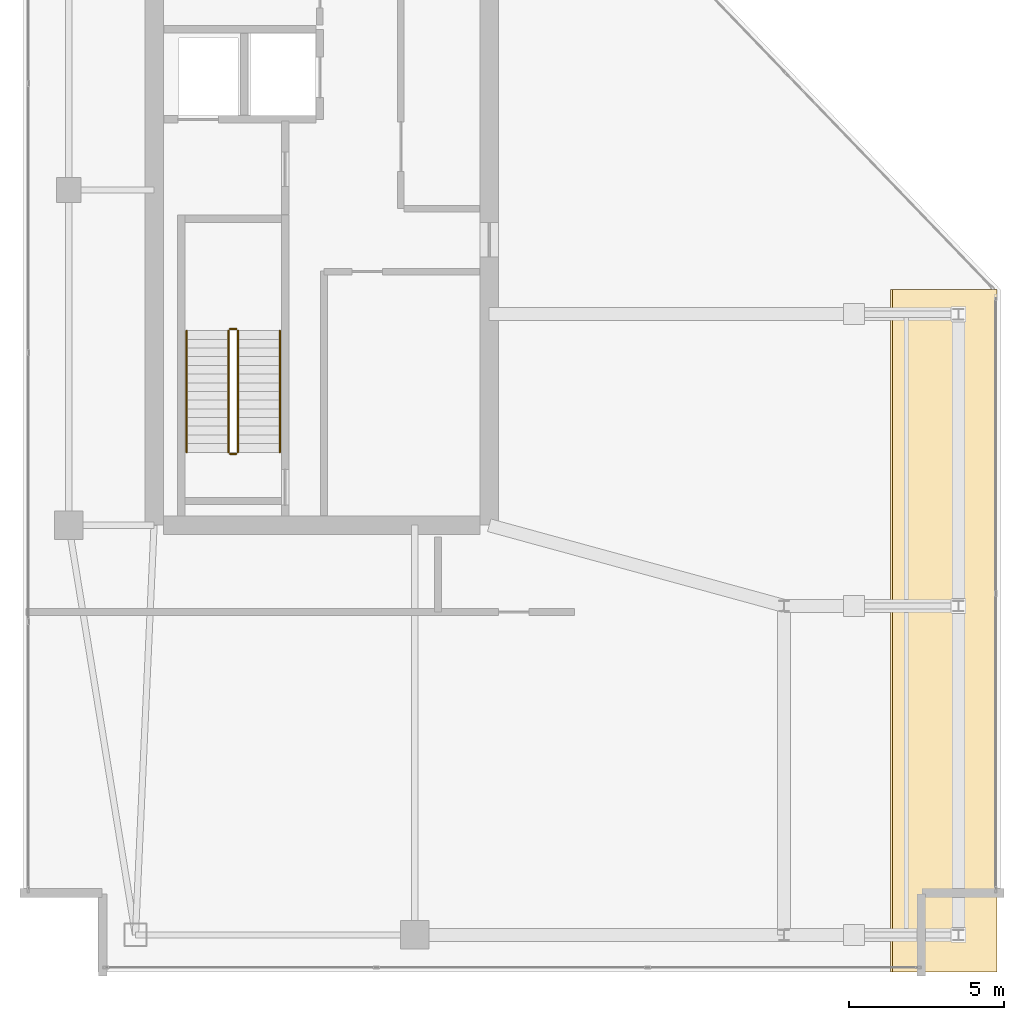
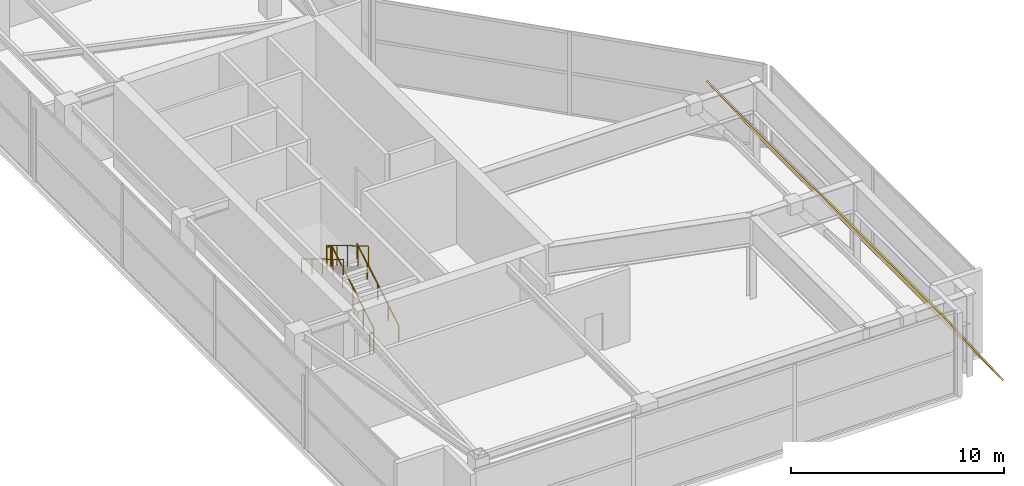
# One storey, part 21 of 22: 6 railings, 1 covering.
"""IFC4 building model written with IfcOpenShell, lengths in metres."""

from ifc_helpers import new_model, si_unit, direction, frame, origin, origin_2d, place, context, subcontext, project, spatial, polyline, circle, outline, extrude, material, layer, layer_set, type_object, element, save


model = new_model("IFC4")

# Units and contexts
model_context = context("Model", 3, precision=1e-05, world=origin(), true_north=direction((0.0, 1.0)))
body_context = subcontext(model_context, "Body", "Model", "MODEL_VIEW")
ifc_project = project(units=[si_unit("LENGTHUNIT", "METRE"), si_unit("AREAUNIT", "SQUARE_METRE"), si_unit("VOLUMEUNIT", "CUBIC_METRE"), si_unit("PLANEANGLEUNIT", "RADIAN"), si_unit("MASSUNIT", "GRAM", prefix="KILO")], contexts=[model_context])

# Site, building, storey
site_placement = place(None, origin())
site = spatial("IfcSite", under=ifc_project, at=site_placement, CompositionType="ELEMENT")
building_placement = place(site_placement, origin())
building = spatial("IfcBuilding", under=site, at=building_placement, Name="Calvorn Quay Hotel", CompositionType="ELEMENT")
storey_placement = place(building_placement, frame((0.0, 0.0, 325.5)))
storey = spatial("IfcBuildingStorey", under=building, at=storey_placement, Name="L80", CompositionType="ELEMENT", Elevation=325.5)

# Covering
ifc_material_1 = material(Name="Insulated Elastomeric Waterproof Roofing")
ifc_layer = layer(ifc_material_1, 0.080078125)
ifc_layer_set = layer_set([ifc_layer], Name="COV-ROOF-MEMBRANE")
covering_type = type_object("IfcCoveringType", Name="COV-ROOF-MEMBRANE", PredefinedType="ROOFING", material=ifc_layer_set)
covering_placement = place(storey_placement, frame((28.0, 2.39990234375, 5.0), z_axis=(0.829467945926, 0.0, 0.55855431847), x_axis=(0.55855431847, 0.0, -0.829467945926)))
element("IfcCovering", 1, at=covering_placement, inside=storey, type_object=covering_type, Name="Slanted-Cut Crown Roof Cladding L80", PredefinedType="ROOFING", context=body_context, shape_type="SweptSolid", body=[
    extrude(outline(polyline([(0.0, 0.0), (6.027960483052241, 0.0), (6.027960483052241, 22.0), (0.0, 22.0), (0.0, 0.0)])), origin(), (0.0, 0.0, -1.0), 0.080078125),
])

# Railings
ifc_material_2 = material(Name="Brushed Stainless Steel Handrail", Category="steel")
railing_type_1 = type_object("IfcRailingType", Name="RLG-HANDRAIL-900", PredefinedType="HANDRAIL", material=ifc_material_2)
railing_1_placement = place(storey_placement, frame((8.25, 19.14990234375, 0.166748046875)))
element("IfcRailing", 2, at=railing_1_placement, inside=storey, type_object=railing_type_1, Name="L80 ST-W stair handrail 1", PredefinedType="HANDRAIL", context=body_context, shape_type="SweptSolid", body=[
    extrude(circle(Radius=0.02392578125, at=origin_2d()), frame((0.0, 0.0, 0.8759765625), z_axis=(0.0, 0.859310244771, 0.511454693235), x_axis=(-1.0, 0.0, 0.0)), (0.0, 0.0, 1.0), 4.56201171875),
    extrude(circle(Radius=0.02099609375, at=origin_2d()), origin(), (0.0, 0.0, 1.0), 0.851806640625),
    extrude(circle(Radius=0.02099609375, at=origin_2d()), frame((0.0, 0.97998046875, 0.583251953125)), (0.0, 0.0, 1.0), 0.851806640625),
    extrude(circle(Radius=0.02099609375, at=origin_2d()), frame((0.0, 1.9599609375, 1.16650390625)), (0.0, 0.0, 1.0), 0.851806640625),
    extrude(circle(Radius=0.02099609375, at=origin_2d()), frame((0.0, 2.940185546875, 1.75)), (0.0, 0.0, 1.0), 0.851806640625),
    extrude(circle(Radius=0.02099609375, at=origin_2d()), frame((0.0, 3.920166015625, 2.333251953125)), (0.0, 0.0, 1.0), 0.851806640625),
])
railing_2_placement = place(storey_placement, frame((5.25, 23.070068359375, 2.666748046875)))
element("IfcRailing", 3, at=railing_2_placement, inside=storey, type_object=railing_type_1, Name="L80 ST-W stair handrail 2", PredefinedType="HANDRAIL", context=body_context, shape_type="SweptSolid", body=[
    extrude(circle(Radius=0.02392578125, at=origin_2d()), frame((0.0, 0.0, 0.8759765625), z_axis=(0.0, -0.859310244771, 0.511454693235), x_axis=(1.0, 0.0, 0.0)), (0.0, 0.0, 1.0), 4.56201171875),
    extrude(circle(Radius=0.02099609375, at=origin_2d()), origin(), (0.0, 0.0, 1.0), 0.851806640625),
    extrude(circle(Radius=0.02099609375, at=origin_2d()), frame((0.0, -0.97998046875, 0.583251953125)), (0.0, 0.0, 1.0), 0.851806640625),
    extrude(circle(Radius=0.02099609375, at=origin_2d()), frame((0.0, -1.9599609375, 1.16650390625)), (0.0, 0.0, 1.0), 0.851806640625),
    extrude(circle(Radius=0.02099609375, at=origin_2d()), frame((0.0, -2.940185546875, 1.75)), (0.0, 0.0, 1.0), 0.851806640625),
    extrude(circle(Radius=0.02099609375, at=origin_2d()), frame((0.0, -3.920166015625, 2.333251953125)), (0.0, 0.0, 1.0), 0.851806640625),
])
ifc_material_3 = material(Name="Painted Galvanised Steel Balustrade", Category="steel")
railing_type_2 = type_object("IfcRailingType", Name="RLG-STAIR-GUARD-1120", PredefinedType="GUARDRAIL", material=ifc_material_3)
railing_3_placement = place(storey_placement, frame((6.89990234375, 19.14990234375, 0.166748046875)))
element("IfcRailing", 4, at=railing_3_placement, inside=storey, type_object=railing_type_2, Name="L80 ST-W stair guard 1", PredefinedType="GUARDRAIL", context=body_context, shape_type="SweptSolid", body=[
    extrude(circle(Radius=0.02392578125, at=origin_2d()), frame((0.0, 0.0, 1.17578125), z_axis=(0.0, 0.859310244771, 0.511454693235), x_axis=(-1.0, 0.0, 0.0)), (0.0, 0.0, 1.0), 4.56201171875),
    extrude(circle(Radius=0.02099609375, at=origin_2d()), origin(), (0.0, 0.0, 1.0), 1.15185546875),
    extrude(circle(Radius=0.02099609375, at=origin_2d()), frame((0.0, 0.97998046875, 0.583251953125)), (0.0, 0.0, 1.0), 1.15185546875),
    extrude(circle(Radius=0.02099609375, at=origin_2d()), frame((0.0, 1.9599609375, 1.16650390625)), (0.0, 0.0, 1.0), 1.15185546875),
    extrude(circle(Radius=0.02099609375, at=origin_2d()), frame((0.0, 2.940185546875, 1.75)), (0.0, 0.0, 1.0), 1.15185546875),
    extrude(circle(Radius=0.02099609375, at=origin_2d()), frame((0.0, 3.920166015625, 2.333251953125)), (0.0, 0.0, 1.0), 1.15185546875),
])
railing_4_placement = place(storey_placement, frame((6.85009765625, 23.1201171875, 2.5)))
element("IfcRailing", 5, at=railing_4_placement, inside=storey, type_object=railing_type_2, Name="L80 ST-W stair guard 2", PredefinedType="GUARDRAIL", context=body_context, shape_type="SweptSolid", body=[
    extrude(circle(Radius=0.02392578125, at=origin_2d()), frame((0.0, 0.0, 1.17578125), z_axis=(-1.0, 0.0, 0.0), x_axis=(0.0, -1.0, 0.0)), (0.0, 0.0, 1.0), 0.2001953125),
    extrude(circle(Radius=0.02099609375, at=origin_2d()), origin(), (0.0, 0.0, 1.0), 1.15185546875),
    extrude(circle(Radius=0.02099609375, at=origin_2d()), frame((-0.2001953125, 0.0, 0.0)), (0.0, 0.0, 1.0), 1.15185546875),
])
railing_5_placement = place(storey_placement, frame((6.60009765625, 23.070068359375, 2.666748046875)))
element("IfcRailing", 6, at=railing_5_placement, inside=storey, type_object=railing_type_2, Name="L80 ST-W stair guard 3", PredefinedType="GUARDRAIL", context=body_context, shape_type="SweptSolid", body=[
    extrude(circle(Radius=0.02392578125, at=origin_2d()), frame((0.0, 0.0, 1.17578125), z_axis=(0.0, -0.859310244771, 0.511454693235), x_axis=(1.0, 0.0, 0.0)), (0.0, 0.0, 1.0), 4.56201171875),
    extrude(circle(Radius=0.02099609375, at=origin_2d()), origin(), (0.0, 0.0, 1.0), 1.15185546875),
    extrude(circle(Radius=0.02099609375, at=origin_2d()), frame((0.0, -0.97998046875, 0.583251953125)), (0.0, 0.0, 1.0), 1.15185546875),
    extrude(circle(Radius=0.02099609375, at=origin_2d()), frame((0.0, -1.9599609375, 1.16650390625)), (0.0, 0.0, 1.0), 1.15185546875),
    extrude(circle(Radius=0.02099609375, at=origin_2d()), frame((0.0, -2.940185546875, 1.75)), (0.0, 0.0, 1.0), 1.15185546875),
    extrude(circle(Radius=0.02099609375, at=origin_2d()), frame((0.0, -3.920166015625, 2.333251953125)), (0.0, 0.0, 1.0), 1.15185546875),
])
railing_6_placement = place(storey_placement, frame((6.85009765625, 19.10009765625, 0.0)))
element("IfcRailing", 7, at=railing_6_placement, inside=storey, type_object=railing_type_2, Name="L80 ST-W stair guard 4", PredefinedType="GUARDRAIL", context=body_context, shape_type="SweptSolid", body=[
    extrude(circle(Radius=0.02392578125, at=origin_2d()), frame((0.0, 0.0, 1.17578125), z_axis=(-1.0, 0.0, 0.0), x_axis=(0.0, -1.0, 0.0)), (0.0, 0.0, 1.0), 0.2001953125),
    extrude(circle(Radius=0.02099609375, at=origin_2d()), origin(), (0.0, 0.0, 1.0), 1.15185546875),
    extrude(circle(Radius=0.02099609375, at=origin_2d()), frame((-0.2001953125, 0.0, 0.0)), (0.0, 0.0, 1.0), 1.15185546875),
])

save(model, "model.ifc")
